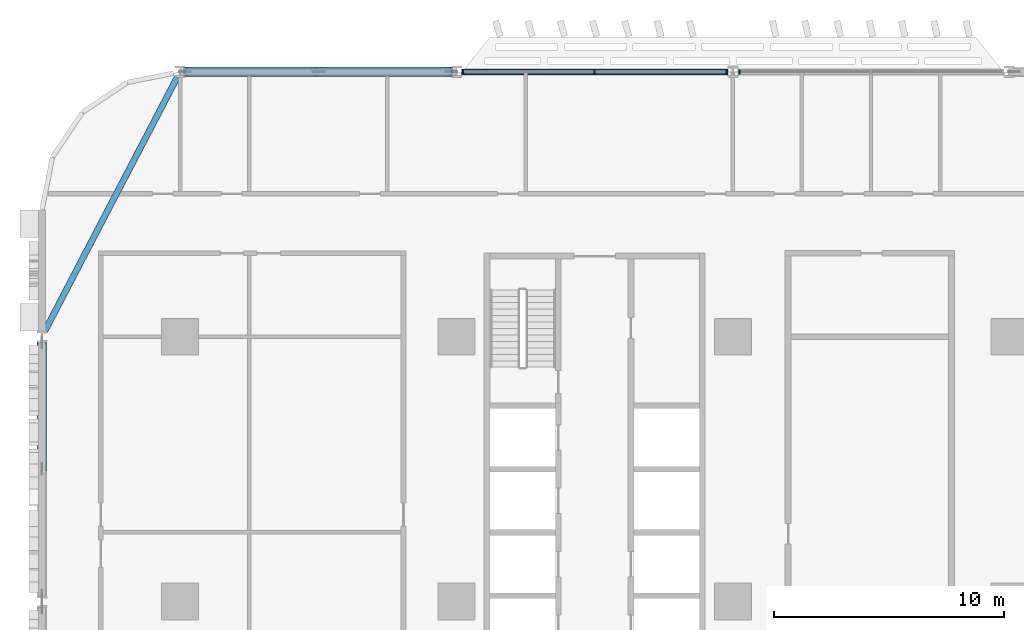
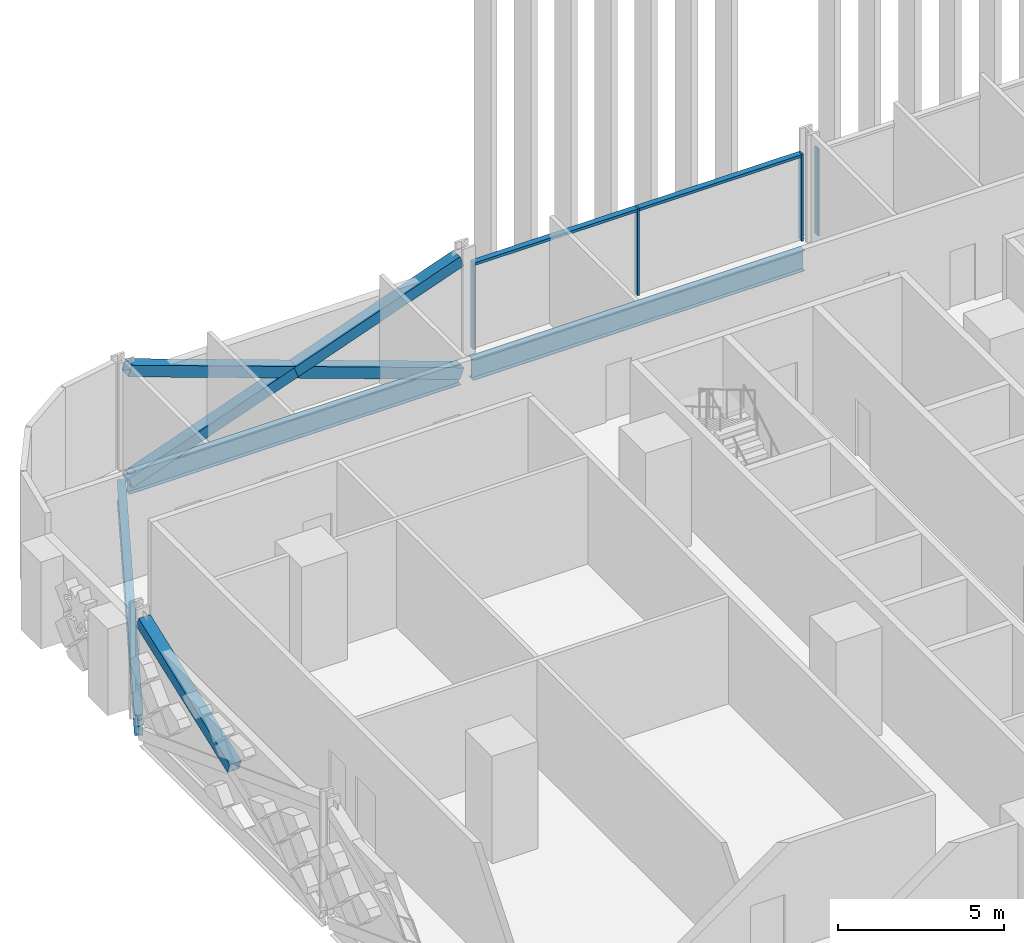
# One storey, part 5 of 29: 10 members, 3 beams, 2 elements without a shape of their own.
"""IFC4 building model written with IfcOpenShell, lengths in metres."""

from ifc_helpers import new_model, si_unit, direction, frame, origin, origin_2d, place, context, subcontext, project, spatial, rectangle, hollow_rectangle, i_section, extrude, material, material_profile, profile_set, type_object, element, aggregate, save


model = new_model("IFC4")

# Units and contexts
model_context = context("Model", 3, precision=1e-05, world=origin(), true_north=direction((0.0, 1.0)))
body_context = subcontext(model_context, "Body", "Model", "MODEL_VIEW")
ifc_project = project(units=[si_unit("LENGTHUNIT", "METRE"), si_unit("AREAUNIT", "SQUARE_METRE"), si_unit("VOLUMEUNIT", "CUBIC_METRE"), si_unit("PLANEANGLEUNIT", "RADIAN"), si_unit("MASSUNIT", "GRAM", prefix="KILO")], contexts=[model_context])

# Site, building, storey
site_placement = place(None, origin())
site = spatial("IfcSite", under=ifc_project, at=site_placement, CompositionType="ELEMENT")
building_placement = place(site_placement, origin())
building = spatial("IfcBuilding", under=site, at=building_placement, Name="Mahtab Terrace Research Tower", CompositionType="ELEMENT")
storey_placement = place(building_placement, frame((0.0, 0.0, 24.39990234375)))
storey = spatial("IfcBuildingStorey", under=building, at=storey_placement, Name="L05", CompositionType="ELEMENT", Elevation=24.39990234375)

# Members
ifc_material_1 = material(Name="Steel ASTM A500 Gr C", Category="steel")
ifc_material_profile_1 = material_profile(ifc_material_1, hollow_rectangle(XDim=0.406494140625, YDim=0.406494140625, WallThickness=0.01904296875, at=origin_2d()), Name="HSS16X16X3/4")
ifc_profile_set_1 = profile_set([ifc_material_profile_1], Name="Steel ASTM A500 Gr C")
member_type_1 = type_object("IfcMemberType", Name="HSS 16x16x3/4 brace XB161634", PredefinedType="BRACE", material=ifc_profile_set_1)
member_1_placement = place(storey_placement, frame((-30.2158203125, 23.0, -0.640869140625), z_axis=(-0.941388097231, 0.0, 0.337325436917), x_axis=(0.0, -1.0, 0.0)))
element("IfcMember", 1, at=member_1_placement, inside=storey, type_object=member_type_1, Name="Exoskeleton brace L05 07 a", PredefinedType="BRACE", context=body_context, shape_type="SweptSolid", body=[
    extrude(hollow_rectangle(XDim=0.406494140625, YDim=0.406494140625, WallThickness=0.01904296875, at=origin_2d()), origin(), (0.0, 0.0, 1.0), 12.28857421875),
])
for number, where, z_axis, x_axis, name in (
    (2, (-41.7841796875, 23.0, -0.640869140625), (0.941394406025, 0.0, 0.337307830185), (0.0, 1.0, 0.0), "Exoskeleton brace L05 07 b1"),
    (3, (-36.0, 23.0, 1.431640625), (0.941381788192, 0.0, 0.337343043295), (0.0, 1.0, 0.0), "Exoskeleton brace L05 07 b2"),
):
    element("IfcMember", number, at=place(storey_placement, frame(where, z_axis=z_axis, x_axis=x_axis)), inside=storey, type_object=member_type_1, Name=name, PredefinedType="BRACE", context=body_context, shape_type="SweptSolid", body=[
        extrude(hollow_rectangle(XDim=0.406494140625, YDim=0.406494140625, WallThickness=0.01904296875, at=origin_2d()), origin(), (0.0, 0.0, 1.0), 6.144287109375),
    ])
member_2_placement = place(storey_placement, frame((-48.0, 5.75, 1.431640625), z_axis=(0.0, 0.936668691391, 0.350216736563), x_axis=(-1.0, 0.0, 0.0)))
element("IfcMember", 4, at=member_2_placement, inside=storey, type_object=member_type_1, Name="Exoskeleton brace L05 09 b2", PredefinedType="BRACE", context=body_context, shape_type="SweptSolid", body=[
    extrude(hollow_rectangle(XDim=0.406494140625, YDim=0.406494140625, WallThickness=0.01904296875, at=origin_2d()), origin(), (0.0, 0.0, 1.0), 5.873291015625),
])

# Curtain wall, member
ifc_material_2 = material(Name="Laboratory ribbon curtain wall")
curtain_wall_type = type_object("IfcCurtainWallType", Name="Laboratory ribbon curtain wall", PredefinedType="NOTDEFINED", material=ifc_material_2)
curtain_wall_1_placement = place(storey_placement, origin())
curtain_wall_1 = element("IfcCurtainWall", 5, at=curtain_wall_1_placement, inside=storey, type_object=curtain_wall_type, Name="EN.L05.3.7", PredefinedType="NOTDEFINED")
ifc_material_3 = material(Name="Natural anodised aluminium", Category="aluminium")
ifc_material_profile_2 = material_profile(ifc_material_3, rectangle(XDim=0.199951171875, YDim=0.06494140625, at=origin_2d()), Name="MULLION 65x200")
ifc_profile_set_2 = profile_set([ifc_material_profile_2], Name="Natural anodised aluminium")
member_type_2 = type_object("IfcMemberType", Name="Laboratory ribbon curtain wall mullion", PredefinedType="MULLION", material=ifc_profile_set_2)
member_3_placement = place(storey_placement, frame((-17.718505859375, 23.0, 0.0), z_axis=(0.0, 0.0, 1.0), x_axis=(0.0, -1.0, 0.0)))
member_3 = element("IfcMember", 6, at=member_3_placement, type_object=member_type_2, Name="CWL-1 mullion 3", PredefinedType="MULLION", context=body_context, shape_type="SweptSolid", body=[
    extrude(rectangle(XDim=0.199951171875, YDim=0.06494140625, at=origin_2d()), origin(), (0.0, 0.0, 1.0), 3.203125),
])
aggregate(curtain_wall_1, [member_3])

# Curtain wall, members
curtain_wall_2_placement = place(storey_placement, origin())
curtain_wall_2 = element("IfcCurtainWall", 7, at=curtain_wall_2_placement, inside=storey, type_object=curtain_wall_type, Name="EN.L05.3.8", PredefinedType="NOTDEFINED")
member_4_placement = place(storey_placement, frame((-18.281494140625, 23.0, 0.0), z_axis=(0.0, 0.0, 1.0), x_axis=(0.0, -1.0, 0.0)))
member_4 = element("IfcMember", 8, at=member_4_placement, type_object=member_type_2, Name="CWL-1 mullion 1", PredefinedType="MULLION", context=body_context, shape_type="SweptSolid", body=[
    extrude(rectangle(XDim=0.199951171875, YDim=0.06494140625, at=origin_2d()), origin(), (0.0, 0.0, 1.0), 3.203125),
])
member_5_placement = place(storey_placement, frame((-24.0, 23.0, 0.0), z_axis=(0.0, 0.0, 1.0), x_axis=(0.0, -1.0, 0.0)))
member_5 = element("IfcMember", 9, at=member_5_placement, type_object=member_type_2, Name="CWL-1 mullion 2", PredefinedType="MULLION", context=body_context, shape_type="SweptSolid", body=[
    extrude(rectangle(XDim=0.199951171875, YDim=0.06494140625, at=origin_2d()), origin(), (0.0, 0.0, 1.0), 3.203125),
])
member_6_placement = place(storey_placement, frame((-29.718505859375, 23.0, 0.0), z_axis=(0.0, 0.0, 1.0), x_axis=(0.0, -1.0, 0.0)))
member_6 = element("IfcMember", 10, at=member_6_placement, type_object=member_type_2, Name="CWL-1 mullion 3", PredefinedType="MULLION", context=body_context, shape_type="SweptSolid", body=[
    extrude(rectangle(XDim=0.199951171875, YDim=0.06494140625, at=origin_2d()), origin(), (0.0, 0.0, 1.0), 3.203125),
])
ifc_material_profile_3 = material_profile(ifc_material_3, rectangle(XDim=0.199951171875, YDim=0.10009765625, at=origin_2d()), Name="TRANSOM 100x200")
ifc_profile_set_3 = profile_set([ifc_material_profile_3], Name="Natural anodised aluminium")
member_type_3 = type_object("IfcMemberType", Name="Laboratory ribbon curtain wall transom", PredefinedType="USERDEFINED", material=ifc_profile_set_3)
member_7_placement = place(storey_placement, frame((-18.31396484375, 23.0, 3.153076171875), z_axis=(-1.0, 0.0, 0.0), x_axis=(0.0, -1.0, 0.0)))
member_7 = element("IfcMember", 11, at=member_7_placement, type_object=member_type_3, Name="CWL-1 transom 1", ObjectType="TRANSOM", PredefinedType="USERDEFINED", context=body_context, shape_type="SweptSolid", body=[
    extrude(rectangle(XDim=0.199951171875, YDim=0.10009765625, at=origin_2d()), origin(), (0.0, 0.0, 1.0), 5.653564453125),
])
member_8_placement = place(storey_placement, frame((-24.032470703125, 23.0, 3.153076171875), z_axis=(-1.0, 0.0, 0.0), x_axis=(0.0, -1.0, 0.0)))
member_8 = element("IfcMember", 12, at=member_8_placement, type_object=member_type_3, Name="CWL-1 transom 2", ObjectType="TRANSOM", PredefinedType="USERDEFINED", context=body_context, shape_type="SweptSolid", body=[
    extrude(rectangle(XDim=0.199951171875, YDim=0.10009765625, at=origin_2d()), origin(), (0.0, 0.0, 1.0), 5.653564453125),
])
aggregate(curtain_wall_2, [member_4, member_5, member_6, member_7, member_8])

# Beams
ifc_material_4 = material(Name="Steel ASTM A992 Gr 50", Category="steel")
ifc_material_profile_4 = material_profile(ifc_material_4, i_section(OverallWidth=0.2666015625, OverallDepth=0.7568359375, WebThickness=0.013916015625, FlangeThickness=0.019287109375, at=origin_2d()), Name="W30X108")
ifc_profile_set_4 = profile_set([ifc_material_profile_4], Name="Steel ASTM A992 Gr 50")
beam_type = type_object("IfcBeamType", Name="W30x108 beam BS30108", PredefinedType="BEAM", material=ifc_profile_set_4)
for number, where, z_axis, x_axis, name in (
    (13, (-18.2158203125, 23.0, -0.71826171875), (-1.0, 0.0, 0.0), (0.0, -1.0, 0.0), "Spandrel beam L05 06"),
    (14, (-30.2158203125, 23.0, -0.71826171875), (-1.0, 0.0, 0.0), (0.0, -1.0, 0.0), "Spandrel beam L05 07"),
):
    element("IfcBeam", number, at=place(storey_placement, frame(where, z_axis=z_axis, x_axis=x_axis)), inside=storey, type_object=beam_type, Name=name, PredefinedType="BEAM", context=body_context, shape_type="SweptSolid", body=[
        extrude(i_section(OverallWidth=0.2666015625, OverallDepth=0.7568359375, WebThickness=0.013916015625, FlangeThickness=0.019287109375, at=origin_2d()), origin(), (0.0, 0.0, 1.0), 11.568359375),
    ])
beam_placement = place(storey_placement, frame((-42.1298828125, 22.751220703125, -0.71826171875), z_axis=(-0.462555249274, -0.88659045865, 0.0), x_axis=(0.88659045865, -0.462555249274, 0.0)))
element("IfcBeam", 15, at=beam_placement, inside=storey, type_object=beam_type, Name="Spandrel beam L05 08", PredefinedType="BEAM", context=body_context, shape_type="SweptSolid", body=[
    extrude(i_section(OverallWidth=0.2666015625, OverallDepth=0.7568359375, WebThickness=0.013916015625, FlangeThickness=0.019287109375, at=origin_2d()), origin(), (0.0, 0.0, 1.0), 12.409912109375),
])

save(model, "model.ifc")
